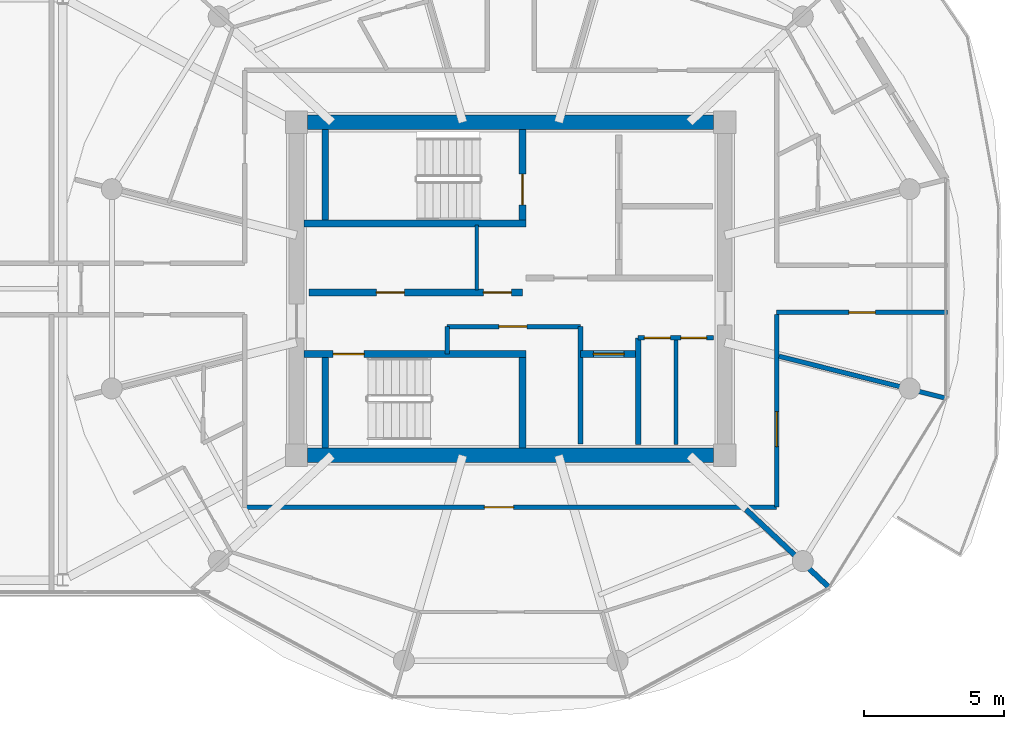
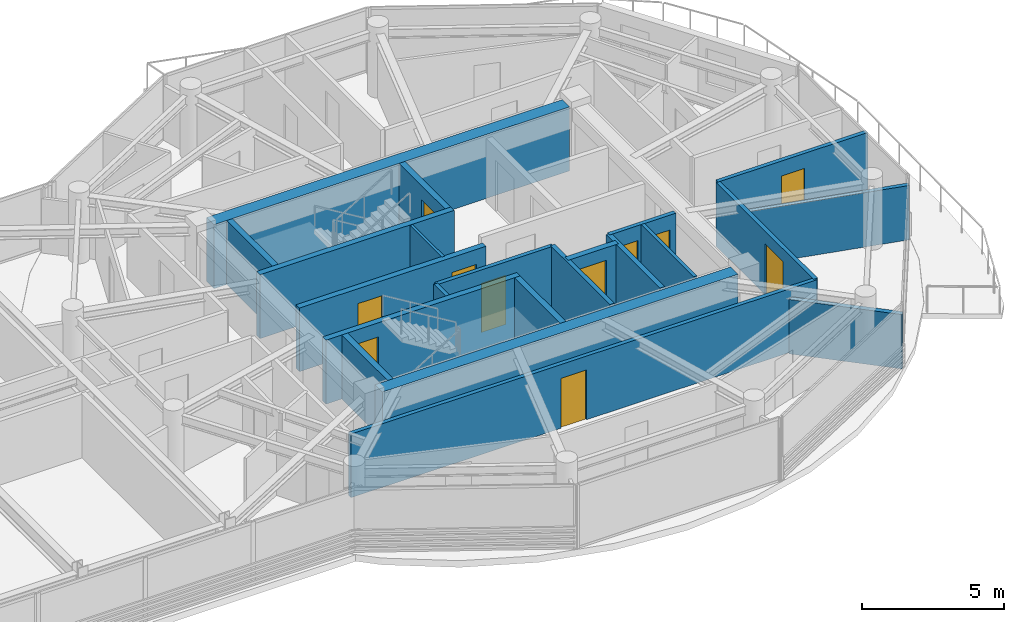
# One storey, part 17 of 24: 22 walls, 11 doors, 11 openings.
"""IFC4 building model written with IfcOpenShell, lengths in metres."""

from ifc_helpers import new_model, si_unit, direction, frame, frame_2d, origin, place, context, subcontext, project, spatial, rectangle, extrude, source, transform, mapped, material, layer, layer_set, type_object, type_shapes, element, fill, save


model = new_model("IFC4")

# Units and contexts
model_context = context("Model", 3, precision=1e-05, world=origin(), true_north=direction((0.0, 1.0)))
body_context = subcontext(model_context, "Body", "Model", "MODEL_VIEW")
ifc_project = project(units=[si_unit("LENGTHUNIT", "METRE"), si_unit("AREAUNIT", "SQUARE_METRE"), si_unit("VOLUMEUNIT", "CUBIC_METRE"), si_unit("PLANEANGLEUNIT", "RADIAN"), si_unit("MASSUNIT", "GRAM", prefix="KILO")], contexts=[model_context])

# Site, building, storey
site_placement = place(None, origin())
site = spatial("IfcSite", under=ifc_project, at=site_placement, CompositionType="ELEMENT")
building_placement = place(site_placement, origin())
building = spatial("IfcBuilding", under=site, at=building_placement, Name="Norrkilde Senior Care Towers", CompositionType="ELEMENT")
storey_placement = place(building_placement, frame((0.0, 0.0, 223.050048828125)))
storey = spatial("IfcBuildingStorey", under=building, at=storey_placement, Name="L69", CompositionType="ELEMENT", Elevation=223.050048828125)

# Walls
ifc_material_1 = material(Name="Concrete C50/60", Category="concrete")
ifc_layer_1 = layer(ifc_material_1, 0.52001953125)
ifc_layer_set_1 = layer_set([ifc_layer_1], Name="Concrete C50/60")
wall_type_1 = type_object("IfcWallType", Name="Core Shear Wall Z4 520", PredefinedType="SHEAR", material=ifc_layer_set_1)
shared_shape_1 = source(origin(), body_context, "Body", "SweptSolid", [
    extrude(rectangle(XDim=14.5, YDim=0.52001953125, at=frame_2d((7.25, 0.0))), origin(), (0.0, 0.0, 1.0), 2.760009765625),
])
type_shapes(wall_type_1, [shared_shape_1])
for number, where, z_axis, x_axis, name in (
    (1, (20.75, 5.949951171875, 0.0), (0.0, 0.0, 1.0), (1.0, 0.0, 0.0), "L69 Core E North Shear Wall"),
    (2, (35.25, -5.949951171875, 0.0), (0.0, 0.0, 1.0), (-1.0, 0.0, 0.0), "L69 Core E South Shear Wall"),
):
    element("IfcWall", number, at=place(storey_placement, frame(where, z_axis=z_axis, x_axis=x_axis)), inside=storey, type_object=wall_type_1, Name=name, PredefinedType="SHEAR", context=body_context, shape_type="MappedRepresentation", body=[
        mapped(shared_shape_1, transform((0.0, 0.0, 0.0), x_axis=(1.0, 0.0, 0.0), y_axis=(0.0, 1.0, 0.0), z_axis=(0.0, 0.0, 1.0), scale=1.0)),
    ])
ifc_material_2 = material(Name="Concrete C45/55", Category="concrete")
ifc_layer_2 = layer(ifc_material_2, 0.239990234375)
ifc_layer_set_2 = layer_set([ifc_layer_2], Name="Concrete C45/55")
wall_type_2 = type_object("IfcWallType", Name="Shaft and Stair Enclosure Wall 240", PredefinedType="PARTITIONING", material=ifc_layer_set_2)
shared_shape_2 = source(origin(), body_context, "Body", "SweptSolid", [
    extrude(rectangle(XDim=7.929931640625, YDim=0.239990234375, at=frame_2d((3.96484375, 0.0))), origin(), (0.0, 0.0, 1.0), 2.760009765625),
])
wall_1_placement = place(storey_placement, frame((20.610107421875, 2.330078125, 0.0), z_axis=(0.0, 0.0, 1.0), x_axis=(1.0, 0.0, 0.0)))
element("IfcWall", 3, at=wall_1_placement, inside=storey, type_object=wall_type_2, Name="WL-INT-L69-E-ST1S", PredefinedType="PARTITIONING", context=body_context, shape_type="MappedRepresentation", body=[
    mapped(shared_shape_2, transform((0.0, 0.0, 0.0), x_axis=(1.0, 0.0, 0.0), y_axis=(0.0, 1.0, 0.0), z_axis=(0.0, 0.0, 1.0), scale=1.0)),
])

# Wall, opening, door
wall_2_placement = place(storey_placement, frame((20.610107421875, -2.330078125, 0.0), z_axis=(0.0, 0.0, 1.0), x_axis=(1.0, 0.0, 0.0)))
wall_2 = element("IfcWall", 4, at=wall_2_placement, inside=storey, type_object=wall_type_2, Name="WL-INT-L69-E-ST2N", PredefinedType="PARTITIONING", context=body_context, shape_type="MappedRepresentation", body=[
    mapped(shared_shape_2, transform((0.0, 0.0, 0.0), x_axis=(1.0, 0.0, 0.0), y_axis=(0.0, 1.0, 0.0), z_axis=(0.0, 0.0, 1.0), scale=1.0)),
])
opening_1_placement = place(wall_2_placement, frame((1.050048828125, 0.0, 0.0)))
opening_1 = element("IfcOpeningElement", 5, at=opening_1_placement, cuts=wall_2, Name="Opening D-03", PredefinedType="OPENING", context=body_context, shape_type="SweptSolid", body=[
    extrude(rectangle(XDim=1.10009765625, YDim=2.14990234375, at=frame_2d((0.550048828125, 1.074951171875))), frame((0.0, 0.1298828125, 0.0), z_axis=(0.0, -1.0, 0.0), x_axis=(1.0, 0.0, 0.0)), (0.0, 0.0, 1.0), 0.260009765625),
])
ifc_material_3 = material(Name="Galvanised Painted Steel", Category="steel")
door_type_1 = type_object("IfcDoorType", Name="Stairwell Protected Fire Door 1100x2150", OperationType="NOTDEFINED", PredefinedType="DOOR", material=ifc_material_3)
shared_shape_3 = source(origin(), body_context, "Body", "SweptSolid", [
    extrude(rectangle(XDim=1.10009765625, YDim=2.14990234375, at=frame_2d((0.550048828125, 1.074951171875))), frame((0.0, 0.02490234375, 0.0), z_axis=(0.0, -1.0, 0.0), x_axis=(1.0, 0.0, 0.0)), (0.0, 0.0, 1.0), 0.050048828125),
])
type_shapes(door_type_1, [shared_shape_3])
door_1_placement = place(opening_1_placement, frame((1.10009765625, 0.0, 0.0), z_axis=(0.0, 0.0, 1.0), x_axis=(-1.0, 0.0, 0.0)))
door_1 = element("IfcDoor", 6, at=door_1_placement, inside=storey, type_object=door_type_1, Name="L69 Stair E2 Fire Door", OperationType="SINGLE_SWING_RIGHT", OverallHeight=2.14990234375, OverallWidth=1.10009765625, PredefinedType="DOOR", context=body_context, shape_type="MappedRepresentation", body=[
    mapped(shared_shape_3, transform((0.0, 0.0, 0.0), x_axis=(1.0, 0.0, 0.0), y_axis=(0.0, 1.0, 0.0), z_axis=(0.0, 0.0, 1.0), scale=1.0)),
])
fill(opening_1, door_1)

# Wall
shared_shape_4 = source(origin(), body_context, "Body", "SweptSolid", [
    extrude(rectangle(XDim=3.239990234375, YDim=0.239990234375, at=frame_2d((1.6201171875, 0.0))), origin(), (0.0, 0.0, 1.0), 2.760009765625),
])
type_shapes(wall_type_2, [shared_shape_2, shared_shape_4])
wall_3_placement = place(storey_placement, frame((21.3798828125, 2.449951171875, 0.0), z_axis=(0.0, 0.0, 1.0), x_axis=(0.0, 1.0, 0.0)))
element("IfcWall", 7, at=wall_3_placement, inside=storey, type_object=wall_type_2, Name="WL-INT-L69-E-ST1W", PredefinedType="PARTITIONING", context=body_context, shape_type="MappedRepresentation", body=[
    mapped(shared_shape_4, transform((0.0, 0.0, 0.0), x_axis=(1.0, 0.0, 0.0), y_axis=(0.0, 1.0, 0.0), z_axis=(0.0, 0.0, 1.0), scale=1.0)),
])

# Wall, opening, door
wall_4_placement = place(storey_placement, frame((28.419921875, 2.449951171875, 0.0), z_axis=(0.0, 0.0, 1.0), x_axis=(0.0, 1.0, 0.0)))
wall_4 = element("IfcWall", 8, at=wall_4_placement, inside=storey, type_object=wall_type_2, Name="WL-INT-L69-E-ST1E", PredefinedType="PARTITIONING", context=body_context, shape_type="MappedRepresentation", body=[
    mapped(shared_shape_4, transform((0.0, 0.0, 0.0), x_axis=(1.0, 0.0, 0.0), y_axis=(0.0, 1.0, 0.0), z_axis=(0.0, 0.0, 1.0), scale=1.0)),
])
opening_2_placement = place(wall_4_placement, frame((0.550048828125, 0.0, 0.0)))
opening_2 = element("IfcOpeningElement", 9, at=opening_2_placement, cuts=wall_4, Name="Opening D-03", PredefinedType="OPENING", context=body_context, shape_type="SweptSolid", body=[
    extrude(rectangle(XDim=1.10009765625, YDim=2.14990234375, at=frame_2d((0.550048828125, 1.074951171875))), frame((0.0, 0.1298828125, 0.0), z_axis=(0.0, -1.0, 0.0), x_axis=(1.0, 0.0, 0.0)), (0.0, 0.0, 1.0), 0.260009765625),
])
door_2_placement = place(opening_2_placement, origin())
door_2 = element("IfcDoor", 10, at=door_2_placement, inside=storey, type_object=door_type_1, Name="L69 Stair E1 Fire Door", OperationType="SINGLE_SWING_LEFT", OverallHeight=2.14990234375, OverallWidth=1.10009765625, PredefinedType="DOOR", context=body_context, shape_type="MappedRepresentation", body=[
    mapped(shared_shape_3, transform((0.0, 0.0, 0.0), x_axis=(1.0, 0.0, 0.0), y_axis=(0.0, 1.0, 0.0), z_axis=(0.0, 0.0, 1.0), scale=1.0)),
])
fill(opening_2, door_2)

# Walls
for number, where, z_axis, x_axis, name in (
    (11, (21.3798828125, -5.68994140625, 0.0), (0.0, 0.0, 1.0), (0.0, 1.0, 0.0), "WL-INT-L69-E-ST2W"),
    (12, (28.419921875, -5.68994140625, 0.0), (0.0, 0.0, 1.0), (0.0, 1.0, 0.0), "WL-INT-L69-E-ST2E"),
):
    element("IfcWall", number, at=place(storey_placement, frame(where, z_axis=z_axis, x_axis=x_axis)), inside=storey, type_object=wall_type_2, Name=name, PredefinedType="PARTITIONING", context=body_context, shape_type="MappedRepresentation", body=[
        mapped(shared_shape_4, transform((0.0, 0.0, 0.0), x_axis=(1.0, 0.0, 0.0), y_axis=(0.0, 1.0, 0.0), z_axis=(0.0, 0.0, 1.0), scale=1.0)),
    ])
ifc_material_4 = material(Name="Gypsum Acoustic Board")
ifc_layer_3 = layer(ifc_material_4, 0.1650390625)
ifc_layer_set_3 = layer_set([ifc_layer_3], Name="Gypsum Acoustic Board")
wall_type_3 = type_object("IfcWallType", Name="Corridor Rated Partition 165", PredefinedType="PARTITIONING", material=ifc_layer_set_3)
shared_shape_5 = source(origin(), body_context, "Body", "SweptSolid", [
    extrude(rectangle(XDim=6.1572265625, YDim=0.1650390625, at=frame_2d((3.07861328125, 0.0))), origin(), (0.0, 0.0, 1.0), 2.344970703125),
])
wall_5_placement = place(storey_placement, frame((37.580078125, -2.407470703125, 0.0), z_axis=(0.0, 0.0, 1.0), x_axis=(0.969840867184, -0.243738984038, 0.0)))
element("IfcWall", 13, at=wall_5_placement, inside=storey, type_object=wall_type_3, Name="WL-INT-L69-E-DEM-11-0", PredefinedType="PARTITIONING", context=body_context, shape_type="MappedRepresentation", body=[
    mapped(shared_shape_5, transform((0.0, 0.0, 0.0), x_axis=(1.0, 0.0, 0.0), y_axis=(0.0, 1.0, 0.0), z_axis=(0.0, 0.0, 1.0), scale=1.0)),
])
ifc_layer_4 = layer(ifc_material_4, 0.18994140625)
ifc_layer_set_4 = layer_set([ifc_layer_4], Name="Gypsum Acoustic Board")
wall_type_4 = type_object("IfcWallType", Name="Unit Demising Acoustic Wall 190", PredefinedType="PARTITIONING", material=ifc_layer_set_4)
shared_shape_6 = source(origin(), body_context, "Body", "SweptSolid", [
    extrude(rectangle(XDim=4.089111328125, YDim=0.18994140625, at=frame_2d((2.04443359375, 0.0))), origin(), (0.0, 0.0, 1.0), 2.344970703125),
])
type_shapes(wall_type_4, [shared_shape_6])
wall_6_placement = place(storey_placement, frame((36.40185546875, -7.8798828125, 0.0), z_axis=(0.0, 0.0, 1.0), x_axis=(0.729401273609, -0.684086092577, 0.0)))
element("IfcWall", 14, at=wall_6_placement, inside=storey, type_object=wall_type_4, Name="WL-INT-L69-E-DEM-10-0", PredefinedType="PARTITIONING", context=body_context, shape_type="MappedRepresentation", body=[
    mapped(shared_shape_6, transform((0.0, 0.0, 0.0), x_axis=(1.0, 0.0, 0.0), y_axis=(0.0, 1.0, 0.0), z_axis=(0.0, 0.0, 1.0), scale=1.0)),
])

# Wall, openings, doors
ifc_layer_5 = layer(ifc_material_2, 0.239990234375)
ifc_layer_set_5 = layer_set([ifc_layer_5], Name="Concrete C45/55")
wall_type_5 = type_object("IfcWallType", Name="Lift and Plant Rated Enclosure Partition 240", PredefinedType="PARTITIONING", material=ifc_layer_set_5)
shared_shape_7 = source(origin(), body_context, "Body", "SweptSolid", [
    extrude(rectangle(XDim=7.619873046875, YDim=0.239990234375, at=frame_2d((3.81005859375, 0.0))), origin(), (0.0, 0.0, 1.0), 2.744873046875),
])
wall_7_placement = place(storey_placement, frame((20.800048828125, -0.1298828125, 0.0), z_axis=(0.0, 0.0, 1.0), x_axis=(1.0, 0.0, 0.0)))
wall_7 = element("IfcWall", 15, at=wall_7_placement, inside=storey, type_object=wall_type_5, Name="WL-INT-L69-E-PKAS", PredefinedType="PARTITIONING", context=body_context, shape_type="MappedRepresentation", body=[
    mapped(shared_shape_7, transform((0.0, 0.0, 0.0), x_axis=(1.0, 0.0, 0.0), y_axis=(0.0, 1.0, 0.0), z_axis=(0.0, 0.0, 1.0), scale=1.0)),
])
opening_3_placement = place(wall_7_placement, frame((6.219970703125, 0.0, 0.0)))
opening_3 = element("IfcOpeningElement", 16, at=opening_3_placement, cuts=wall_7, Name="Opening D-10", PredefinedType="OPENING", context=body_context, shape_type="SweptSolid", body=[
    extrude(rectangle(XDim=1.0, YDim=2.10009765625, at=frame_2d((0.5, 1.050048828125))), frame((0.0, 0.1298828125, 0.0), z_axis=(0.0, -1.0, 0.0), x_axis=(1.0, 0.0, 0.0)), (0.0, 0.0, 1.0), 0.260009765625),
])
opening_4_placement = place(wall_7_placement, frame((2.39990234375, 0.0, 0.0)))
opening_4 = element("IfcOpeningElement", 17, at=opening_4_placement, cuts=wall_7, Name="Opening D-10", PredefinedType="OPENING", context=body_context, shape_type="SweptSolid", body=[
    extrude(rectangle(XDim=1.0, YDim=2.10009765625, at=frame_2d((0.5, 1.050048828125))), frame((0.0, 0.1298828125, 0.0), z_axis=(0.0, -1.0, 0.0), x_axis=(1.0, 0.0, 0.0)), (0.0, 0.0, 1.0), 0.260009765625),
])
door_type_2 = type_object("IfcDoorType", Name="Plant and Riser Rated Door 1000x2100", OperationType="NOTDEFINED", PredefinedType="DOOR", material=ifc_material_3)
shared_shape_8 = source(origin(), body_context, "Body", "SweptSolid", [
    extrude(rectangle(XDim=1.0, YDim=2.10009765625, at=frame_2d((0.5, 1.050048828125))), frame((0.0, 0.02490234375, 0.0), z_axis=(0.0, -1.0, 0.0), x_axis=(1.0, 0.0, 0.0)), (0.0, 0.0, 1.0), 0.050048828125),
])
type_shapes(door_type_2, [shared_shape_8])
door_3_placement = place(opening_3_placement, frame((1.0, 0.0, 0.0), z_axis=(0.0, 0.0, 1.0), x_axis=(-1.0, 0.0, 0.0)))
door_3 = element("IfcDoor", 18, at=door_3_placement, inside=storey, type_object=door_type_2, Name="L69 Electrical Riser E Door", OperationType="SINGLE_SWING_LEFT", OverallHeight=2.10009765625, OverallWidth=1.0, PredefinedType="DOOR", context=body_context, shape_type="MappedRepresentation", body=[
    mapped(shared_shape_8, transform((0.0, 0.0, 0.0), x_axis=(1.0, 0.0, 0.0), y_axis=(0.0, 1.0, 0.0), z_axis=(0.0, 0.0, 1.0), scale=1.0)),
])
fill(opening_3, door_3)
door_4_placement = place(opening_4_placement, frame((1.0, 0.0, 0.0), z_axis=(0.0, 0.0, 1.0), x_axis=(-1.0, 0.0, 0.0)))
door_4 = element("IfcDoor", 19, at=door_4_placement, inside=storey, type_object=door_type_2, Name="L69 Clean Supply Store E Door", OperationType="SINGLE_SWING_LEFT", OverallHeight=2.10009765625, OverallWidth=1.0, PredefinedType="DOOR", context=body_context, shape_type="MappedRepresentation", body=[
    mapped(shared_shape_8, transform((0.0, 0.0, 0.0), x_axis=(1.0, 0.0, 0.0), y_axis=(0.0, 1.0, 0.0), z_axis=(0.0, 0.0, 1.0), scale=1.0)),
])
fill(opening_4, door_4)

# Walls
ifc_layer_6 = layer(ifc_material_4, 0.114990234375)
ifc_layer_set_6 = layer_set([ifc_layer_6], Name="Gypsum Acoustic Board")
wall_type_6 = type_object("IfcWallType", Name="Internal Room Partition 115", PredefinedType="PARTITIONING", material=ifc_layer_set_6)
shared_shape_9 = source(origin(), body_context, "Body", "SweptSolid", [
    extrude(rectangle(XDim=2.330078125, YDim=0.114990234375, at=frame_2d((1.1650390625, 0.0))), origin(), (0.0, 0.0, 1.0), 2.744873046875),
])
type_shapes(wall_type_6, [shared_shape_9])
wall_8_placement = place(storey_placement, frame((26.7900390625, -0.050048828125, 0.0), z_axis=(0.0, 0.0, 1.0), x_axis=(0.0, 1.0, 0.0)))
element("IfcWall", 20, at=wall_8_placement, inside=storey, type_object=wall_type_6, Name="WL-INT-L69-E-RISW", PredefinedType="PARTITIONING", context=body_context, shape_type="MappedRepresentation", body=[
    mapped(shared_shape_9, transform((0.0, 0.0, 0.0), x_axis=(1.0, 0.0, 0.0), y_axis=(0.0, 1.0, 0.0), z_axis=(0.0, 0.0, 1.0), scale=1.0)),
])
ifc_layer_7 = layer(ifc_material_2, 0.199951171875)
ifc_layer_set_7 = layer_set([ifc_layer_7], Name="Concrete C45/55")
wall_type_7 = type_object("IfcWallType", Name="Shaft Division and Plant Partition 200", PredefinedType="PARTITIONING", material=ifc_layer_set_7)
shared_shape_10 = source(origin(), body_context, "Body", "SweptSolid", [
    extrude(rectangle(XDim=3.800048828125, YDim=0.199951171875, at=frame_2d((1.89990234375, 0.0))), origin(), (0.0, 0.0, 1.0), 2.744873046875),
])
type_shapes(wall_type_7, [shared_shape_10])
wall_9_placement = place(storey_placement, frame((32.550048828125, -5.550048828125, 0.0), z_axis=(0.0, 0.0, 1.0), x_axis=(0.0, 1.0, 0.0)))
element("IfcWall", 21, at=wall_9_placement, inside=storey, type_object=wall_type_7, Name="WL-INT-L69-E-PKBE", PredefinedType="PARTITIONING", context=body_context, shape_type="MappedRepresentation", body=[
    mapped(shared_shape_10, transform((0.0, 0.0, 0.0), x_axis=(1.0, 0.0, 0.0), y_axis=(0.0, 1.0, 0.0), z_axis=(0.0, 0.0, 1.0), scale=1.0)),
])

# Wall, opening, door
shared_shape_11 = source(origin(), body_context, "Body", "SweptSolid", [
    extrude(rectangle(XDim=2.050048828125, YDim=0.239990234375, at=frame_2d((1.02490234375, 0.0))), origin(), (0.0, 0.0, 1.0), 2.744873046875),
])
type_shapes(wall_type_5, [shared_shape_7, shared_shape_11])
wall_10_placement = place(storey_placement, frame((30.5, -2.330078125, 0.0), z_axis=(0.0, 0.0, 1.0), x_axis=(1.0, 0.0, 0.0)))
wall_10 = element("IfcWall", 22, at=wall_10_placement, inside=storey, type_object=wall_type_5, Name="WL-INT-L69-E-PL4N", PredefinedType="PARTITIONING", context=body_context, shape_type="MappedRepresentation", body=[
    mapped(shared_shape_11, transform((0.0, 0.0, 0.0), x_axis=(1.0, 0.0, 0.0), y_axis=(0.0, 1.0, 0.0), z_axis=(0.0, 0.0, 1.0), scale=1.0)),
])
opening_5_placement = place(wall_10_placement, frame((0.449951171875, 0.0, 0.0)))
opening_5 = element("IfcOpeningElement", 23, at=opening_5_placement, cuts=wall_10, Name="Opening LD-01", PredefinedType="OPENING", context=body_context, shape_type="SweptSolid", body=[
    extrude(rectangle(XDim=1.10009765625, YDim=2.199951171875, at=frame_2d((0.550048828125, 1.10009765625))), frame((0.0, 0.1298828125, 0.0), z_axis=(0.0, -1.0, 0.0), x_axis=(1.0, 0.0, 0.0)), (0.0, 0.0, 1.0), 0.260009765625),
])
ifc_material_5 = material(Name="Stainless Steel", Category="steel")
door_type_3 = type_object("IfcDoorType", Name="Lift Landing Sliding Door 1100x2200", OperationType="NOTDEFINED", PredefinedType="DOOR", material=ifc_material_5)
shared_shape_12 = source(origin(), body_context, "Body", "SweptSolid", [
    extrude(rectangle(XDim=1.10009765625, YDim=2.199951171875, at=frame_2d((0.550048828125, 1.10009765625))), frame((0.0, 0.02490234375, 0.0), z_axis=(0.0, -1.0, 0.0), x_axis=(1.0, 0.0, 0.0)), (0.0, 0.0, 1.0), 0.050048828125),
])
type_shapes(door_type_3, [shared_shape_12])
door_5_placement = place(opening_5_placement, frame((1.10009765625, 0.0, 0.0), z_axis=(0.0, 0.0, 1.0), x_axis=(-1.0, 0.0, 0.0)))
door_5 = element("IfcDoor", 24, at=door_5_placement, inside=storey, type_object=door_type_3, Name="L69 Passenger Lift E4 Landing Door", OperationType="SLIDING_TO_RIGHT", OverallHeight=2.199951171875, OverallWidth=1.10009765625, PredefinedType="DOOR", context=body_context, shape_type="MappedRepresentation", body=[
    mapped(shared_shape_12, transform((0.0, 0.0, 0.0), x_axis=(1.0, 0.0, 0.0), y_axis=(0.0, 1.0, 0.0), z_axis=(0.0, 0.0, 1.0), scale=1.0)),
])
fill(opening_5, door_5)

# Wall
ifc_layer_8 = layer(ifc_material_2, 0.179931640625)
ifc_layer_set_8 = layer_set([ifc_layer_8], Name="Concrete C45/55")
wall_type_8 = type_object("IfcWallType", Name="Hoistway Division Rated Partition 180", PredefinedType="PARTITIONING", material=ifc_layer_set_8)
shared_shape_13 = source(origin(), body_context, "Body", "SweptSolid", [
    extrude(rectangle(XDim=4.199951171875, YDim=0.179931640625, at=frame_2d((2.10009765625, 0.0))), origin(), (0.0, 0.0, 1.0), 2.744873046875),
])
type_shapes(wall_type_8, [shared_shape_13])
wall_11_placement = place(storey_placement, frame((30.5, -5.550048828125, 0.0), z_axis=(0.0, 0.0, 1.0), x_axis=(0.0, 1.0, 0.0)))
element("IfcWall", 25, at=wall_11_placement, inside=storey, type_object=wall_type_8, Name="WL-INT-L69-E-PL4W", PredefinedType="PARTITIONING", context=body_context, shape_type="MappedRepresentation", body=[
    mapped(shared_shape_13, transform((0.0, 0.0, 0.0), x_axis=(1.0, 0.0, 0.0), y_axis=(0.0, 1.0, 0.0), z_axis=(0.0, 0.0, 1.0), scale=1.0)),
])

# Wall, opening, door
shared_shape_14 = source(origin(), body_context, "Body", "SweptSolid", [
    extrude(rectangle(XDim=4.77001953125, YDim=0.1650390625, at=frame_2d((2.385009765625, 0.0))), origin(), (0.0, 0.0, 1.0), 2.744873046875),
])
wall_12_placement = place(storey_placement, frame((25.72998046875, -1.35009765625, 0.0), z_axis=(0.0, 0.0, 1.0), x_axis=(1.0, 0.0, 0.0)))
wall_12 = element("IfcWall", 26, at=wall_12_placement, inside=storey, type_object=wall_type_3, Name="WL-INT-L69-E-FR2N", PredefinedType="PARTITIONING", context=body_context, shape_type="MappedRepresentation", body=[
    mapped(shared_shape_14, transform((0.0, 0.0, 0.0), x_axis=(1.0, 0.0, 0.0), y_axis=(0.0, 1.0, 0.0), z_axis=(0.0, 0.0, 1.0), scale=1.0)),
])
opening_6_placement = place(wall_12_placement, frame((1.85009765625, 0.0, 0.0)))
opening_6 = element("IfcOpeningElement", 27, at=opening_6_placement, cuts=wall_12, Name="Opening D-10", PredefinedType="OPENING", context=body_context, shape_type="SweptSolid", body=[
    extrude(rectangle(XDim=1.0, YDim=2.10009765625, at=frame_2d((0.5, 1.050048828125))), frame((0.0, 0.092529296875, 0.0), z_axis=(0.0, -1.0, 0.0), x_axis=(1.0, 0.0, 0.0)), (0.0, 0.0, 1.0), 0.18505859375),
])
door_6_placement = place(opening_6_placement, origin())
door_6 = element("IfcDoor", 28, at=door_6_placement, inside=storey, type_object=door_type_2, Name="L69 Core Pantry E Door", OperationType="SINGLE_SWING_RIGHT", OverallHeight=2.10009765625, OverallWidth=1.0, PredefinedType="DOOR", context=body_context, shape_type="MappedRepresentation", body=[
    mapped(shared_shape_8, transform((0.0, 0.0, 0.0), x_axis=(1.0, 0.0, 0.0), y_axis=(0.0, 1.0, 0.0), z_axis=(0.0, 0.0, 1.0), scale=1.0)),
])
fill(opening_6, door_6)

# Wall
shared_shape_15 = source(origin(), body_context, "Body", "SweptSolid", [
    extrude(rectangle(XDim=0.97998046875, YDim=0.1650390625, at=frame_2d((0.489990234375, 0.0))), origin(), (0.0, 0.0, 1.0), 2.744873046875),
])
wall_13_placement = place(storey_placement, frame((25.72998046875, -2.330078125, 0.0), z_axis=(0.0, 0.0, 1.0), x_axis=(0.0, 1.0, 0.0)))
element("IfcWall", 29, at=wall_13_placement, inside=storey, type_object=wall_type_3, Name="WL-INT-L69-E-FR2W", PredefinedType="PARTITIONING", context=body_context, shape_type="MappedRepresentation", body=[
    mapped(shared_shape_15, transform((0.0, 0.0, 0.0), x_axis=(1.0, 0.0, 0.0), y_axis=(0.0, 1.0, 0.0), z_axis=(0.0, 0.0, 1.0), scale=1.0)),
])

# Wall, openings, doors
shared_shape_16 = source(origin(), body_context, "Body", "SweptSolid", [
    extrude(rectangle(XDim=2.699951171875, YDim=0.1650390625, at=frame_2d((1.35009765625, 0.0))), origin(), (0.0, 0.0, 1.0), 2.744873046875),
])
wall_14_placement = place(storey_placement, frame((32.550048828125, -1.75, 0.0), z_axis=(0.0, 0.0, 1.0), x_axis=(1.0, 0.0, 0.0)))
wall_14 = element("IfcWall", 30, at=wall_14_placement, inside=storey, type_object=wall_type_3, Name="WL-INT-L69-E-CSN", PredefinedType="PARTITIONING", context=body_context, shape_type="MappedRepresentation", body=[
    mapped(shared_shape_16, transform((0.0, 0.0, 0.0), x_axis=(1.0, 0.0, 0.0), y_axis=(0.0, 1.0, 0.0), z_axis=(0.0, 0.0, 1.0), scale=1.0)),
])
opening_7_placement = place(wall_14_placement, frame((0.222412109375, 0.0, 0.0)))
opening_7 = element("IfcOpeningElement", 31, at=opening_7_placement, cuts=wall_14, Name="Opening D-12", PredefinedType="OPENING", context=body_context, shape_type="SweptSolid", body=[
    extrude(rectangle(XDim=0.925048828125, YDim=2.10009765625, at=frame_2d((0.46240234375, 1.050048828125))), frame((0.0, 0.092529296875, 0.0), z_axis=(0.0, -1.0, 0.0), x_axis=(1.0, 0.0, 0.0)), (0.0, 0.0, 1.0), 0.18505859375),
])
opening_8_placement = place(wall_14_placement, frame((1.5224609375, 0.0, 0.0)))
opening_8 = element("IfcOpeningElement", 32, at=opening_8_placement, cuts=wall_14, Name="Opening D-12", PredefinedType="OPENING", context=body_context, shape_type="SweptSolid", body=[
    extrude(rectangle(XDim=0.925048828125, YDim=2.10009765625, at=frame_2d((0.46240234375, 1.050048828125))), frame((0.0, 0.092529296875, 0.0), z_axis=(0.0, -1.0, 0.0), x_axis=(1.0, 0.0, 0.0)), (0.0, 0.0, 1.0), 0.18505859375),
])
door_type_4 = type_object("IfcDoorType", Name="Core Wet Room Rated Door 925x2100", OperationType="NOTDEFINED", PredefinedType="DOOR", material=ifc_material_3)
shared_shape_17 = source(origin(), body_context, "Body", "SweptSolid", [
    extrude(rectangle(XDim=0.925048828125, YDim=2.10009765625, at=frame_2d((0.46240234375, 1.050048828125))), frame((0.0, 0.02490234375, 0.0), z_axis=(0.0, -1.0, 0.0), x_axis=(1.0, 0.0, 0.0)), (0.0, 0.0, 1.0), 0.050048828125),
])
type_shapes(door_type_4, [shared_shape_17])
door_7_placement = place(opening_7_placement, origin())
door_7 = element("IfcDoor", 33, at=door_7_placement, inside=storey, type_object=door_type_4, Name="L69 Staff Accessible WC E Door", OperationType="SINGLE_SWING_LEFT", OverallHeight=2.10009765625, OverallWidth=0.925048828125, PredefinedType="DOOR", context=body_context, shape_type="MappedRepresentation", body=[
    mapped(shared_shape_17, transform((0.0, 0.0, 0.0), x_axis=(1.0, 0.0, 0.0), y_axis=(0.0, 1.0, 0.0), z_axis=(0.0, 0.0, 1.0), scale=1.0)),
])
fill(opening_7, door_7)
door_8_placement = place(opening_8_placement, origin())
door_8 = element("IfcDoor", 34, at=door_8_placement, inside=storey, type_object=door_type_4, Name="L69 Housekeeping Store E Door", OperationType="SINGLE_SWING_RIGHT", OverallHeight=2.10009765625, OverallWidth=0.925048828125, PredefinedType="DOOR", context=body_context, shape_type="MappedRepresentation", body=[
    mapped(shared_shape_17, transform((0.0, 0.0, 0.0), x_axis=(1.0, 0.0, 0.0), y_axis=(0.0, 1.0, 0.0), z_axis=(0.0, 0.0, 1.0), scale=1.0)),
])
fill(opening_8, door_8)

# Wall, opening, door
shared_shape_18 = source(origin(), body_context, "Body", "SweptSolid", [
    extrude(rectangle(XDim=19.0, YDim=0.1650390625, at=frame_2d((9.5, 0.0))), origin(), (0.0, 0.0, 1.0), 2.744873046875),
])
wall_15_placement = place(storey_placement, frame((37.5, -7.800048828125, 0.0), z_axis=(0.0, 0.0, 1.0), x_axis=(-1.0, 0.0, 0.0)))
wall_15 = element("IfcWall", 35, at=wall_15_placement, inside=storey, type_object=wall_type_3, Name="WL-INT-L69-E-CRW-S-0", PredefinedType="PARTITIONING", context=body_context, shape_type="MappedRepresentation", body=[
    mapped(shared_shape_18, transform((0.0, 0.0, 0.0), x_axis=(1.0, 0.0, 0.0), y_axis=(0.0, 1.0, 0.0), z_axis=(0.0, 0.0, 1.0), scale=1.0)),
])
opening_9_placement = place(wall_15_placement, frame((9.39208984375, 0.0, 0.0)))
opening_9 = element("IfcOpeningElement", 36, at=opening_9_placement, cuts=wall_15, Name="Opening D-06", PredefinedType="OPENING", context=body_context, shape_type="SweptSolid", body=[
    extrude(rectangle(XDim=1.050048828125, YDim=2.14990234375, at=frame_2d((0.52490234375, 1.074951171875))), frame((0.0, 0.092529296875, 0.0), z_axis=(0.0, -1.0, 0.0), x_axis=(1.0, 0.0, 0.0)), (0.0, 0.0, 1.0), 0.18505859375),
])
ifc_material_6 = material(Name="Nordic Ash Timber", Category="wood")
door_type_5 = type_object("IfcDoorType", Name="Apartment Entrance Fire Door 1050x2150", OperationType="NOTDEFINED", PredefinedType="DOOR", material=ifc_material_6)
shared_shape_19 = source(origin(), body_context, "Body", "SweptSolid", [
    extrude(rectangle(XDim=1.050048828125, YDim=2.14990234375, at=frame_2d((0.52490234375, 1.074951171875))), frame((0.0, 0.02490234375, 0.0), z_axis=(0.0, -1.0, 0.0), x_axis=(1.0, 0.0, 0.0)), (0.0, 0.0, 1.0), 0.050048828125),
])
type_shapes(door_type_5, [shared_shape_19])
door_9_placement = place(opening_9_placement, frame((1.050048828125, 0.0, 0.0), z_axis=(0.0, 0.0, 1.0), x_axis=(-1.0, 0.0, 0.0)))
door_9 = element("IfcDoor", 37, at=door_9_placement, inside=storey, type_object=door_type_5, Name="Apartment 69C Entrance Door", OperationType="SINGLE_SWING_LEFT", OverallHeight=2.14990234375, OverallWidth=1.050048828125, PredefinedType="DOOR", context=body_context, shape_type="MappedRepresentation", body=[
    mapped(shared_shape_19, transform((0.0, 0.0, 0.0), x_axis=(1.0, 0.0, 0.0), y_axis=(0.0, 1.0, 0.0), z_axis=(0.0, 0.0, 1.0), scale=1.0)),
])
fill(opening_9, door_9)

shared_shape_20 = source(origin(), body_context, "Body", "SweptSolid", [
    extrude(rectangle(XDim=6.880126953125, YDim=0.1650390625, at=frame_2d((3.43994140625, 0.0))), origin(), (0.0, 0.0, 1.0), 2.744873046875),
])
wall_16_placement = place(storey_placement, frame((37.5, -0.919921875, 0.0), z_axis=(0.0, 0.0, 1.0), x_axis=(0.0, -1.0, 0.0)))
wall_16 = element("IfcWall", 38, at=wall_16_placement, inside=storey, type_object=wall_type_3, Name="WL-INT-L69-E-CRW-E-1", PredefinedType="PARTITIONING", context=body_context, shape_type="MappedRepresentation", body=[
    mapped(shared_shape_20, transform((0.0, 0.0, 0.0), x_axis=(1.0, 0.0, 0.0), y_axis=(0.0, 1.0, 0.0), z_axis=(0.0, 0.0, 1.0), scale=1.0)),
])
opening_10_placement = place(wall_16_placement, frame((3.46435546875, 0.0, 0.0)))
opening_10 = element("IfcOpeningElement", 39, at=opening_10_placement, cuts=wall_16, Name="Opening D-05", PredefinedType="OPENING", context=body_context, shape_type="SweptSolid", body=[
    extrude(rectangle(XDim=1.25, YDim=2.199951171875, at=frame_2d((0.625, 1.10009765625))), frame((0.0, 0.092529296875, 0.0), z_axis=(0.0, -1.0, 0.0), x_axis=(1.0, 0.0, 0.0)), (0.0, 0.0, 1.0), 0.18505859375),
])
door_type_6 = type_object("IfcDoorType", Name="Care Bedroom Bariatric Door 1250x2200", OperationType="NOTDEFINED", PredefinedType="DOOR", material=ifc_material_6)
shared_shape_21 = source(origin(), body_context, "Body", "SweptSolid", [
    extrude(rectangle(XDim=1.25, YDim=2.199951171875, at=frame_2d((0.625, 1.10009765625))), frame((0.0, 0.02490234375, 0.0), z_axis=(0.0, -1.0, 0.0), x_axis=(1.0, 0.0, 0.0)), (0.0, 0.0, 1.0), 0.050048828125),
])
type_shapes(door_type_6, [shared_shape_21])
door_10_placement = place(opening_10_placement, frame((1.25, 0.0, 0.0), z_axis=(0.0, 0.0, 1.0), x_axis=(-1.0, 0.0, 0.0)))
door_10 = element("IfcDoor", 40, at=door_10_placement, inside=storey, type_object=door_type_6, Name="L69 Care Coordination Charting Office Door", OperationType="SINGLE_SWING_LEFT", OverallHeight=2.199951171875, OverallWidth=1.25, PredefinedType="DOOR", context=body_context, shape_type="MappedRepresentation", body=[
    mapped(shared_shape_21, transform((0.0, 0.0, 0.0), x_axis=(1.0, 0.0, 0.0), y_axis=(0.0, 1.0, 0.0), z_axis=(0.0, 0.0, 1.0), scale=1.0)),
])
fill(opening_10, door_10)

shared_shape_22 = source(origin(), body_context, "Body", "SweptSolid", [
    extrude(rectangle(XDim=6.101318359375, YDim=0.1650390625, at=frame_2d((3.05078125, 0.0))), origin(), (0.0, 0.0, 1.0), 2.744873046875),
])
type_shapes(wall_type_3, [shared_shape_5, shared_shape_14, shared_shape_15, shared_shape_16, shared_shape_18, shared_shape_20, shared_shape_22])
wall_17_placement = place(storey_placement, frame((43.601318359375, -0.840087890625, 0.0), z_axis=(0.0, 0.0, 1.0), x_axis=(-1.0, 0.0, 0.0)))
wall_17 = element("IfcWall", 41, at=wall_17_placement, inside=storey, type_object=wall_type_3, Name="WL-INT-L69-E-SPK-E2-0", PredefinedType="PARTITIONING", context=body_context, shape_type="MappedRepresentation", body=[
    mapped(shared_shape_22, transform((0.0, 0.0, 0.0), x_axis=(1.0, 0.0, 0.0), y_axis=(0.0, 1.0, 0.0), z_axis=(0.0, 0.0, 1.0), scale=1.0)),
])
opening_11_placement = place(wall_17_placement, frame((2.57568359375, 0.0, 0.0)))
opening_11 = element("IfcOpeningElement", 42, at=opening_11_placement, cuts=wall_17, Name="Opening D-07", PredefinedType="OPENING", context=body_context, shape_type="SweptSolid", body=[
    extrude(rectangle(XDim=0.949951171875, YDim=2.10009765625, at=frame_2d((0.47509765625, 1.050048828125))), frame((0.0, 0.092529296875, 0.0), z_axis=(0.0, -1.0, 0.0), x_axis=(1.0, 0.0, 0.0)), (0.0, 0.0, 1.0), 0.18505859375),
])
door_type_7 = type_object("IfcDoorType", Name="Internal Suite Bedroom Door 950x2100", OperationType="NOTDEFINED", PredefinedType="DOOR", material=ifc_material_6)
shared_shape_23 = source(origin(), body_context, "Body", "SweptSolid", [
    extrude(rectangle(XDim=0.949951171875, YDim=2.10009765625, at=frame_2d((0.47509765625, 1.050048828125))), frame((0.0, 0.02490234375, 0.0), z_axis=(0.0, -1.0, 0.0), x_axis=(1.0, 0.0, 0.0)), (0.0, 0.0, 1.0), 0.050048828125),
])
type_shapes(door_type_7, [shared_shape_23])
door_11_placement = place(opening_11_placement, frame((0.949951171875, 0.0, 0.0), z_axis=(0.0, 0.0, 1.0), x_axis=(-1.0, 0.0, 0.0)))
door_11 = element("IfcDoor", 43, at=door_11_placement, inside=storey, type_object=door_type_7, Name="L69 Sun Reading Lounge 5 Door", OperationType="SINGLE_SWING_RIGHT", OverallHeight=2.10009765625, OverallWidth=0.949951171875, PredefinedType="DOOR", context=body_context, shape_type="MappedRepresentation", body=[
    mapped(shared_shape_23, transform((0.0, 0.0, 0.0), x_axis=(1.0, 0.0, 0.0), y_axis=(0.0, 1.0, 0.0), z_axis=(0.0, 0.0, 1.0), scale=1.0)),
])
fill(opening_11, door_11)

# Wall
ifc_layer_9 = layer(ifc_material_4, 0.139892578125)
ifc_layer_set_9 = layer_set([ifc_layer_9], Name="Gypsum Acoustic Board")
wall_type_9 = type_object("IfcWallType", Name="En-suite Wet Room Wall 140", PredefinedType="PARTITIONING", material=ifc_layer_set_9)
shared_shape_24 = source(origin(), body_context, "Body", "SweptSolid", [
    extrude(rectangle(XDim=3.800048828125, YDim=0.139892578125, at=frame_2d((1.89990234375, 0.0))), origin(), (0.0, 0.0, 1.0), 2.744873046875),
])
type_shapes(wall_type_9, [shared_shape_24])
wall_18_placement = place(storey_placement, frame((33.89990234375, -5.550048828125, 0.0), z_axis=(0.0, 0.0, 1.0), x_axis=(0.0, 1.0, 0.0)))
element("IfcWall", 44, at=wall_18_placement, inside=storey, type_object=wall_type_9, Name="WL-INT-L69-E-CS1V", PredefinedType="PARTITIONING", context=body_context, shape_type="MappedRepresentation", body=[
    mapped(shared_shape_24, transform((0.0, 0.0, 0.0), x_axis=(1.0, 0.0, 0.0), y_axis=(0.0, 1.0, 0.0), z_axis=(0.0, 0.0, 1.0), scale=1.0)),
])

save(model, "model.ifc")
